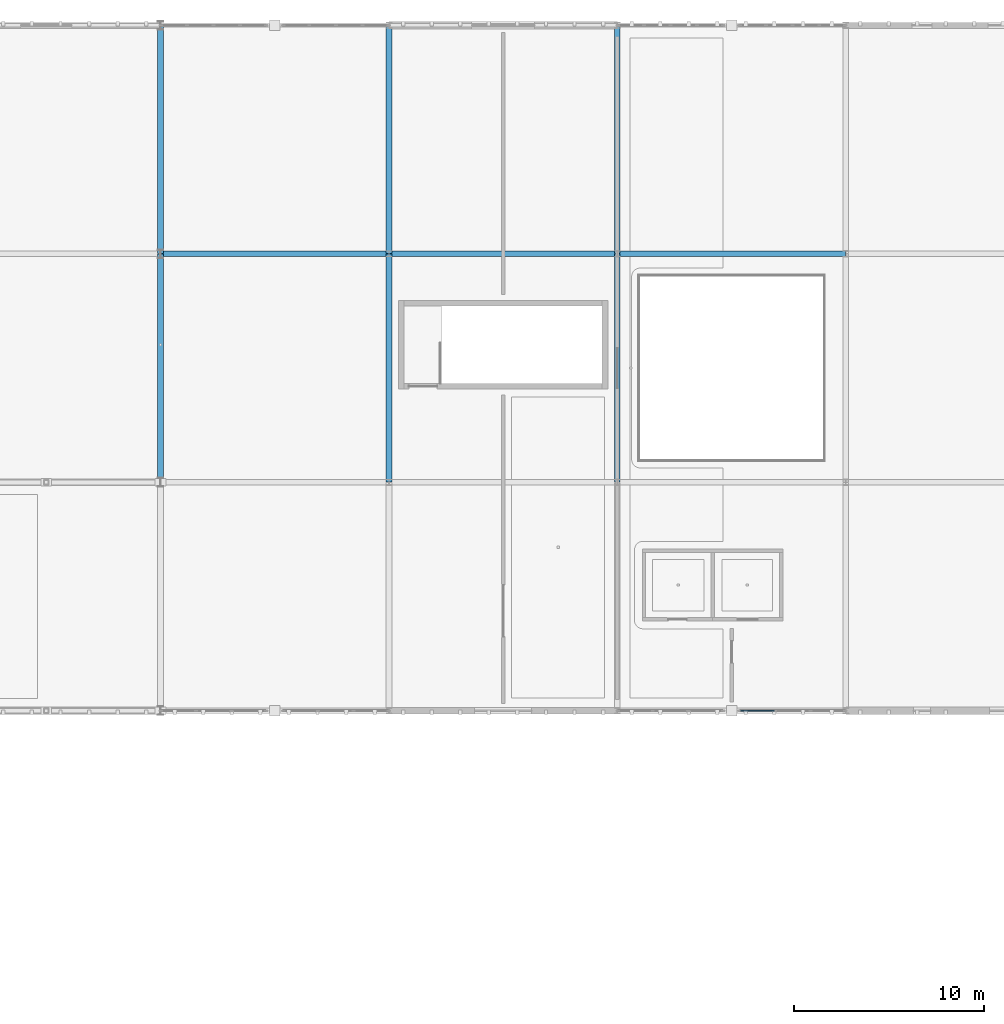
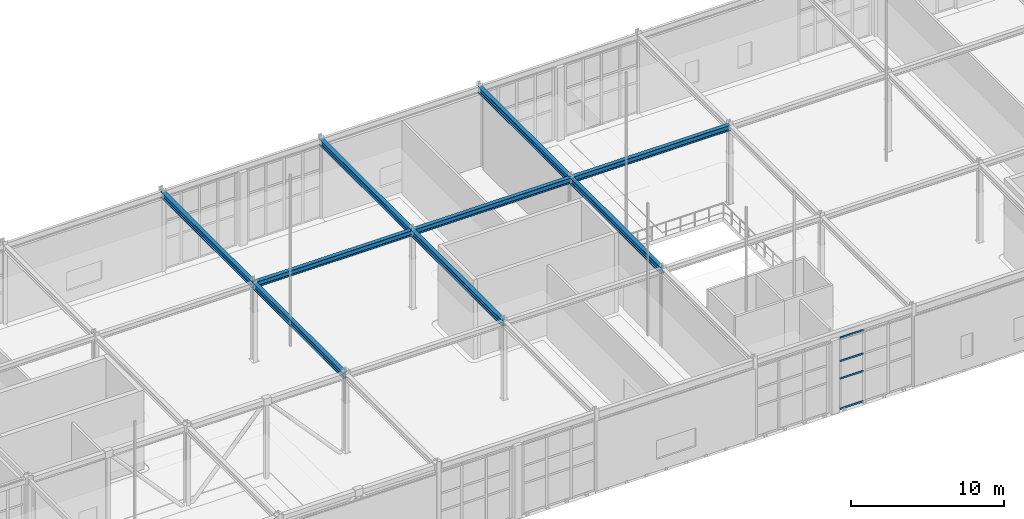
# One storey, part 17 of 62: 9 beams, 4 members, 1 element without a shape of its own.
"""IFC4 building model written with IfcOpenShell, lengths in metres."""

from ifc_helpers import new_model, si_unit, direction, frame, origin, origin_2d, place, context, subcontext, project, spatial, rectangle, i_section, extrude, material, layer, layer_set, material_profile, profile_set, type_object, element, aggregate, save


model = new_model("IFC4")

# Units and contexts
model_context = context("Model", 3, precision=1e-05, world=origin(), true_north=direction((0.0, 1.0)))
body_context = subcontext(model_context, "Body", "Model", "MODEL_VIEW")
ifc_project = project(units=[si_unit("LENGTHUNIT", "METRE"), si_unit("AREAUNIT", "SQUARE_METRE"), si_unit("VOLUMEUNIT", "CUBIC_METRE"), si_unit("PLANEANGLEUNIT", "RADIAN"), si_unit("MASSUNIT", "GRAM", prefix="KILO")], contexts=[model_context])

# Site, building, storey
site_placement = place(None, origin())
site = spatial("IfcSite", under=ifc_project, at=site_placement, CompositionType="ELEMENT")
building_placement = place(site_placement, origin())
building = spatial("IfcBuilding", under=site, at=building_placement, Name="Zlatogorsky Bluff Art Gallery", CompositionType="ELEMENT")
storey_placement = place(building_placement, frame((0.0, 0.0, 16.800048828125)))
storey = spatial("IfcBuildingStorey", under=building, at=storey_placement, Name="L03", CompositionType="ELEMENT", Elevation=16.800048828125)

# Beams
ifc_material_1 = material(Name="Steel S355", Category="steel")
ifc_material_profile_1 = material_profile(ifc_material_1, i_section(OverallWidth=0.300048828125, OverallDepth=0.489990234375, WebThickness=0.011962890625, FlangeThickness=0.02294921875, FilletRadius=0.027099609375, at=origin_2d()), Name="HEA 500")
ifc_profile_set_1 = profile_set([ifc_material_profile_1], Name="Steel S355")
beam_type_1 = type_object("IfcBeamType", Name="Beam BM-07 HEA 500", PredefinedType="BEAM", material=ifc_profile_set_1)
for number, where, z_axis, x_axis, name in (
    (1, (24.0, 96.014892578125, 6.0849609375), (0.0, 1.0, 0.0), (-1.0, 0.0, 0.0), "Primary girder BM-07 L03 C/10-11"),
    (2, (24.0, 108.014892578125, 6.0849609375), (0.0, 1.0, 0.0), (-1.0, 0.0, 0.0), "Primary girder BM-07 L03 C/11-12"),
    (3, (36.0, 96.014892578125, 6.0849609375), (0.0, 1.0, 0.0), (-1.0, 0.0, 0.0), "Primary girder BM-07 L03 D/10-11"),
    (4, (36.0, 108.014892578125, 6.0849609375), (0.0, 1.0, 0.0), (-1.0, 0.0, 0.0), "Primary girder BM-07 L03 D/11-12"),
    (5, (48.0, 96.014892578125, 6.0849609375), (0.0, 1.0, 0.0), (-1.0, 0.0, 0.0), "Primary girder BM-07 L03 E/10-11"),
    (6, (48.0, 108.014892578125, 6.0849609375), (0.0, 1.0, 0.0), (-1.0, 0.0, 0.0), "Primary girder BM-07 L03 E/11-12"),
):
    element("IfcBeam", number, at=place(storey_placement, frame(where, z_axis=z_axis, x_axis=x_axis)), inside=storey, type_object=beam_type_1, Name=name, PredefinedType="BEAM", context=body_context, shape_type="SweptSolid", body=[
        extrude(i_section(OverallWidth=0.300048828125, OverallDepth=0.489990234375, WebThickness=0.011962890625, FlangeThickness=0.02294921875, FilletRadius=0.027099609375, at=origin_2d()), origin(), (0.0, 0.0, 1.0), 11.97021484375),
    ])
ifc_material_profile_2 = material_profile(ifc_material_1, i_section(OverallWidth=0.300048828125, OverallDepth=0.43994140625, WebThickness=0.011474609375, FlangeThickness=0.02099609375, FilletRadius=0.027099609375, at=origin_2d()), Name="HEA 450")
ifc_profile_set_2 = profile_set([ifc_material_profile_2], Name="Steel S355")
beam_type_2 = type_object("IfcBeamType", Name="Beam BM-08 HEA 450", PredefinedType="BEAM", material=ifc_profile_set_2)
for number, where, z_axis, x_axis, name in (
    (7, (24.014892578125, 108.0, 6.10986328125), (1.0, 0.0, 0.0), (0.0, 1.0, 0.0), "Primary girder BM-08 L03 C-D/11"),
    (8, (36.014892578125, 108.0, 6.10986328125), (1.0, 0.0, 0.0), (0.0, 1.0, 0.0), "Primary girder BM-08 L03 D-E/11"),
    (9, (48.014892578125, 108.0, 6.10986328125), (1.0, 0.0, 0.0), (0.0, 1.0, 0.0), "Primary girder BM-08 L03 E-F/11"),
):
    element("IfcBeam", number, at=place(storey_placement, frame(where, z_axis=z_axis, x_axis=x_axis)), inside=storey, type_object=beam_type_2, Name=name, PredefinedType="BEAM", context=body_context, shape_type="SweptSolid", body=[
        extrude(i_section(OverallWidth=0.300048828125, OverallDepth=0.43994140625, WebThickness=0.011474609375, FlangeThickness=0.02099609375, FilletRadius=0.027099609375, at=origin_2d()), origin(), (0.0, 0.0, 1.0), 11.97021484375),
    ])

# Curtain wall, members
ifc_material_2 = material(Name="Anodised Bronze Aluminium and Low-Iron Triple Glazing", Category="aluminium")
ifc_layer = layer(ifc_material_2, 0.219970703125)
ifc_layer_set = layer_set([ifc_layer], Name="Curtain Wall CW-04")
curtain_wall_type = type_object("IfcCurtainWallType", Name="Curtain Wall CW-04", PredefinedType="USERDEFINED", material=ifc_layer_set)
curtain_wall_placement = place(storey_placement, origin())
curtain_wall = element("IfcCurtainWall", 10, at=curtain_wall_placement, inside=storey, type_object=curtain_wall_type, Name="Unitised curtain wall CW-04 L03 S 4.8-B", ObjectType="CURTAIN WALL", PredefinedType="USERDEFINED")
ifc_material_3 = material(Name="Anodised Bronze Aluminium", Category="aluminium")
ifc_material_profile_3 = material_profile(ifc_material_3, rectangle(XDim=0.06494140625, YDim=0.139892578125, at=origin_2d()), Name="ALU TRANSOM 65x140")
ifc_profile_set_3 = profile_set([ifc_material_profile_3], Name="Anodised Bronze Aluminium")
member_type = type_object("IfcMemberType", Name="Curtain Transom TR-01", PredefinedType="USERDEFINED", material=ifc_profile_set_3)
member_1_placement = place(storey_placement, frame((54.485107421875, 84.0, 0.032470703125), z_axis=(1.0, 0.0, 0.0), x_axis=(0.0, 1.0, 0.0)))
member_1 = element("IfcMember", 11, at=member_1_placement, type_object=member_type, Name="CW-04 transom 1.1", ObjectType="TRANSOM", PredefinedType="USERDEFINED", context=body_context, shape_type="SweptSolid", body=[
    extrude(rectangle(XDim=0.06494140625, YDim=0.139892578125, at=origin_2d()), origin(), (0.0, 0.0, 1.0), 1.762451171875),
])
member_2_placement = place(storey_placement, frame((54.485107421875, 84.0, 2.449951171875), z_axis=(1.0, 0.0, 0.0), x_axis=(0.0, 1.0, 0.0)))
member_2 = element("IfcMember", 12, at=member_2_placement, type_object=member_type, Name="CW-04 transom 1.2", ObjectType="TRANSOM", PredefinedType="USERDEFINED", context=body_context, shape_type="SweptSolid", body=[
    extrude(rectangle(XDim=0.06494140625, YDim=0.139892578125, at=origin_2d()), origin(), (0.0, 0.0, 1.0), 1.762451171875),
])
member_3_placement = place(storey_placement, frame((54.485107421875, 84.0, 3.849853515625), z_axis=(1.0, 0.0, 0.0), x_axis=(0.0, 1.0, 0.0)))
member_3 = element("IfcMember", 13, at=member_3_placement, type_object=member_type, Name="CW-04 transom 1.3", ObjectType="TRANSOM", PredefinedType="USERDEFINED", context=body_context, shape_type="SweptSolid", body=[
    extrude(rectangle(XDim=0.06494140625, YDim=0.139892578125, at=origin_2d()), origin(), (0.0, 0.0, 1.0), 1.762451171875),
])
member_4_placement = place(storey_placement, frame((54.485107421875, 84.0, 5.717529296875), z_axis=(1.0, 0.0, 0.0), x_axis=(0.0, 1.0, 0.0)))
member_4 = element("IfcMember", 14, at=member_4_placement, type_object=member_type, Name="CW-04 transom 1.4", ObjectType="TRANSOM", PredefinedType="USERDEFINED", context=body_context, shape_type="SweptSolid", body=[
    extrude(rectangle(XDim=0.06494140625, YDim=0.139892578125, at=origin_2d()), origin(), (0.0, 0.0, 1.0), 1.762451171875),
])
aggregate(curtain_wall, [member_1, member_2, member_3, member_4])

save(model, "model.ifc")
